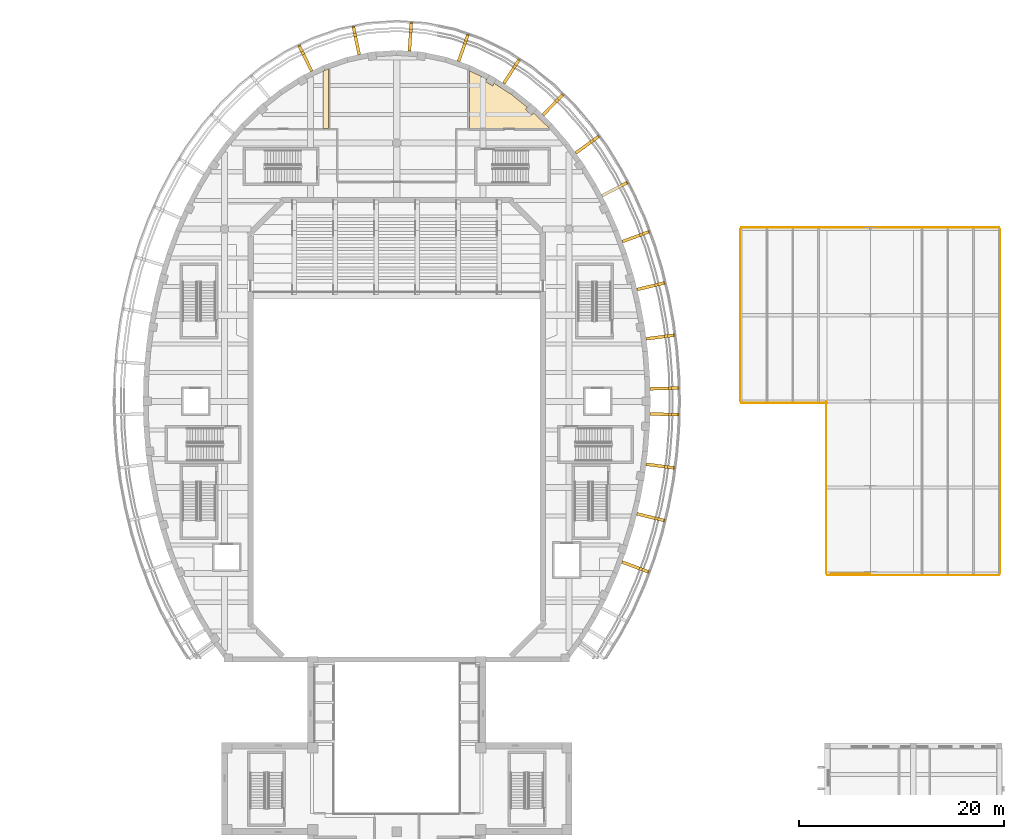
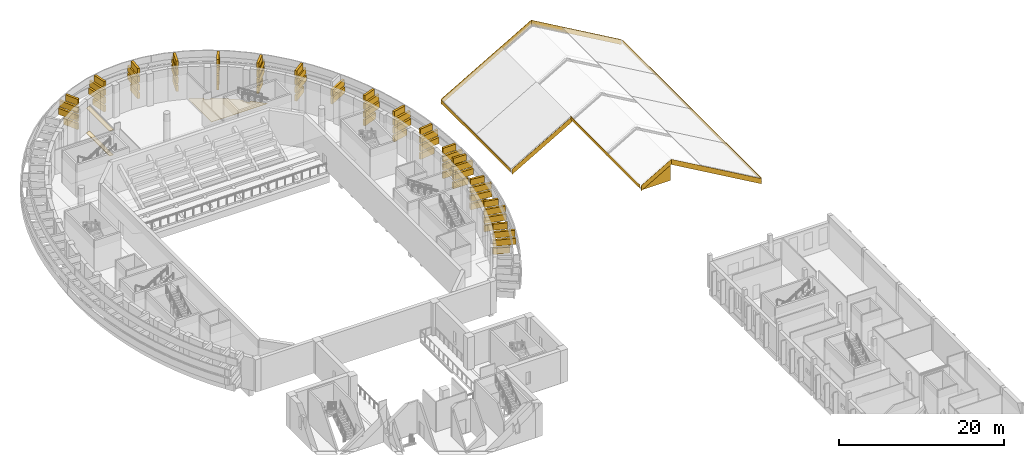
# One storey, part 37 of 37: 74 coverings.
"""IFC4 building model written with IfcOpenShell, lengths in metres."""

from ifc_helpers import new_model, si_unit, direction, frame, origin, origin_2d, place, context, subcontext, project, spatial, polyline, rectangle, outline, extrude, material, layer, layer_set, type_object, element, save


model = new_model("IFC4")

# Units and contexts
model_context = context("Model", 3, precision=1e-05, world=origin(), true_north=direction((0.0, 1.0)))
body_context = subcontext(model_context, "Body", "Model", "MODEL_VIEW")
ifc_project = project(units=[si_unit("LENGTHUNIT", "METRE"), si_unit("AREAUNIT", "SQUARE_METRE"), si_unit("VOLUMEUNIT", "CUBIC_METRE"), si_unit("PLANEANGLEUNIT", "RADIAN"), si_unit("MASSUNIT", "GRAM", prefix="KILO")], contexts=[model_context])

# Site, building, storey
site_placement = place(None, origin())
site = spatial("IfcSite", under=ifc_project, at=site_placement, CompositionType="ELEMENT")
building_placement = place(site_placement, origin())
building = spatial("IfcBuilding", under=site, at=building_placement, Name="Larchfold Concert Hall", CompositionType="ELEMENT")
storey_placement = place(building_placement, frame((0.0, 0.0, 19.199951171875)))
storey = spatial("IfcBuildingStorey", under=building, at=storey_placement, Name="L04", CompositionType="ELEMENT", Elevation=19.199951171875)

# Coverings
ifc_material_1 = material(Name="Mineral fibre ceiling tile")
ifc_layer_1 = layer(ifc_material_1, 0.02001953125)
ifc_layer_set_1 = layer_set([ifc_layer_1], Name="Mineral fibre ceiling tile")
covering_type_1 = type_object("IfcCoveringType", Name="Ceiling mineral fibre tile 20", PredefinedType="CEILING", material=ifc_layer_set_1)
covering_1_placement = place(storey_placement, frame((0.0, 0.0, 3.68017578125)))
element("IfcCovering", 1, at=covering_1_placement, inside=storey, type_object=covering_type_1, Name="Ceiling Public Toilets", PredefinedType="CEILING", context=body_context, shape_type="SweptSolid", body=[
    extrude(outline(polyline([(35.39990234375, 116.8134765625), (35.400634765625, 111.21142578125), (35.948974609375, 111.21142578125), (35.949951171875, 117.03271484375), (35.59130859375, 116.907958984375), (35.39990234375, 116.8134765625)])), origin(), (0.0, 0.0, 1.0), 0.02001953125),
])
ifc_material_2 = material(Name="Ceramic tile")
ifc_layer_2 = layer(ifc_material_2, 0.030029296875)
ifc_layer_set_2 = layer_set([ifc_layer_2], Name="Ceramic tile")
covering_type_2 = type_object("IfcCoveringType", Name="Floor finish ceramic tile 30", PredefinedType="FLOORING", material=ifc_layer_set_2)
covering_2_placement = place(storey_placement, origin())
element("IfcCovering", 2, at=covering_2_placement, inside=storey, type_object=covering_type_2, Name="Floor finish Public Toilets", PredefinedType="FLOORING", context=body_context, shape_type="SweptSolid", body=[
    extrude(outline(polyline([(35.39990234375, 116.8134765625), (35.400634765625, 111.21142578125), (35.948974609375, 111.21142578125), (35.949951171875, 117.03271484375), (35.59130859375, 116.907958984375), (35.39990234375, 116.8134765625)])), origin(), (0.0, 0.0, 1.0), 0.030029296875),
])
ifc_material_3 = material(Name="Sealed cement screed")
ifc_layer_3 = layer(ifc_material_3, 0.050048828125)
ifc_layer_set_3 = layer_set([ifc_layer_3], Name="Sealed cement screed")
covering_type_3 = type_object("IfcCoveringType", Name="Floor finish sealed screed 50", PredefinedType="FLOORING", material=ifc_layer_set_3)
covering_3_placement = place(storey_placement, origin())
element("IfcCovering", 3, at=covering_3_placement, inside=storey, type_object=covering_type_3, Name="Floor finish Hall Plant Room 01", PredefinedType="FLOORING", context=body_context, shape_type="SweptSolid", body=[
    extrude(outline(polyline([(49.618896484375, 111.150146484375), (49.6201171875, 111.223876953125), (57.489990234375, 111.223876953125), (57.384765625, 111.3466796875), (55.947509765625, 112.751953125), (55.760498046875, 112.542236328125), (55.1630859375, 113.07421875), (55.34912109375, 113.283203125), (53.78564453125, 114.541748046875), (52.10009765625, 115.628173828125), (51.963134765625, 115.386962890625), (51.267578125, 115.7822265625), (51.404052734375, 116.022216796875), (49.675048828125, 116.8740234375), (49.675048828125, 111.22509765625), (49.60009765625, 111.22509765625), (49.60009765625, 111.21142578125), (49.618896484375, 111.21142578125), (49.618896484375, 111.150146484375)])), origin(), (0.0, 0.0, 1.0), 0.050048828125),
])
ifc_material_4 = material(Name="Charred larch cladding", Category="timber")
ifc_layer_4 = layer(ifc_material_4, 0.030029296875)
ifc_layer_set_4 = layer_set([ifc_layer_4], Name="Charred larch cladding")
covering_type_4 = type_object("IfcCoveringType", Name="Gable closure panel 30", PredefinedType="CLADDING", material=ifc_layer_set_4)
covering_4_placement = place(storey_placement, frame((84.9501953125, 67.77001953125, 4.064208984375), z_axis=(0.0, -1.0, 0.0), x_axis=(1.0, 0.0, 0.0)))
element("IfcCovering", 4, at=covering_4_placement, inside=storey, type_object=covering_type_4, Name="Gable closure panel RG007", PredefinedType="CLADDING", context=body_context, shape_type="SweptSolid", body=[
    extrude(outline(polyline([(0.0, 0.0), (3.849853515625, 0.0), (3.849853515625, 2.43505859375), (0.0, 0.21240234375), (0.0, 0.0)])), origin(), (0.0, 0.0, -1.0), 0.030029296875),
])
ifc_material_5 = material(Name="Galvanised steel bracket", Category="steel")
ifc_layer_5 = layer(ifc_material_5, 0.300048828125)
ifc_layer_set_5 = layer_set([ifc_layer_5], Name="Galvanised steel bracket")
covering_type_5 = type_object("IfcCoveringType", Name="Ring support bracket", PredefinedType="CLADDING", material=ifc_layer_set_5)
for number, where, z_axis, x_axis, name in (
    (5, (68.3681640625, 85.85009765625, 0.9501953125), (0.0, 0.0, 1.0), (0.999668605926, 0.025742539211, 0.0), "Ring bracket BR-R08-01"),
    (6, (67.979736328125, 90.8349609375, 0.9501953125), (0.0, 0.0, 1.0), (0.991554174709, 0.129693171048, 0.0), "Ring bracket BR-R08-02"),
    (7, (67.065185546875, 95.755615234375, 0.9501953125), (0.0, 0.0, 1.0), (0.971762851638, 0.235959657944, 0.0), "Ring bracket BR-R08-03"),
    (8, (65.605224609375, 100.552490234375, 0.9501953125), (0.0, 0.0, 1.0), (0.938034660892, 0.346541447688, 0.0), "Ring bracket BR-R08-04"),
    (9, (60.916748046875, 109.447265625, 0.9501953125), (0.0, 0.0, 1.0), (0.809814943436, 0.586685398989, 0.0), "Ring bracket BR-R08-06"),
    (10, (57.60595703125, 113.29833984375, 0.9501953125), (0.0, 0.0, 1.0), (0.69916054139, 0.714964710572, 0.0), "Ring bracket BR-R08-07"),
    (11, (53.613525390625, 116.49658203125, 0.9501953125), (0.0, 0.0, 1.0), (0.541810395078, 0.840500741098, 0.0), "Ring bracket BR-R08-08"),
    (12, (48.984130859375, 118.7666015625, 0.9501953125), (0.0, 0.0, 1.0), (0.328920226358, 0.944357710136, 0.0), "Ring bracket BR-R08-09"),
    (13, (43.902587890625, 119.8134765625, 0.9501953125), (0.0, 0.0, 1.0), (0.068693386901, 0.997637819349, 0.0), "Ring bracket BR-R08-10"),
    (14, (38.718994140625, 119.458984375, 0.9501953125), (0.0, 0.0, 1.0), (-0.203080334215, 0.979162079461, 0.0), "Ring bracket BR-R08-11"),
    (15, (33.8291015625, 117.766845703125, 0.9501953125), (0.0, 0.0, 1.0), (-0.44236895234, 0.89683315617, 0.0), "Ring bracket BR-R08-12"),
    (16, (65.569580078125, 68.552734375, 0.9501953125), (0.0, 0.0, 1.0), (0.937177411386, -0.348853120364, 0.0), "Ring bracket BR-R08-30"),
    (17, (67.04833984375, 73.37646484375, 0.9501953125), (0.0, 0.0, 1.0), (0.971411707345, -0.237401126438, 0.0), "Ring bracket BR-R08-31"),
    (18, (67.974609375, 78.326416015625, 0.9501953125), (0.0, 0.0, 1.0), (0.991449907596, -0.130487856632, 0.0), "Ring bracket BR-R08-32"),
    (19, (68.367919921875, 83.34228515625, 0.9501953125), (0.0, 0.0, 1.0), (0.999665014874, -0.025881615792, 0.0), "Ring bracket BR-R08-33"),
):
    element("IfcCovering", number, at=place(storey_placement, frame(where, z_axis=z_axis, x_axis=x_axis)), inside=storey, type_object=covering_type_5, Name=name, PredefinedType="CLADDING", context=body_context, shape_type="SweptSolid", body=[
        extrude(rectangle(XDim=2.10009765625, YDim=0.300048828125, at=origin_2d()), origin(), (0.0, 0.0, 1.0), 0.89990234375),
    ])
for number, where, z_axis, x_axis, name in (
    (20, (68.718017578125, 85.859130859375, 2.150146484375), (0.0, 0.0, 1.0), (0.999668605926, 0.025742539211, 0.0), "Ring bracket BR-R09-01"),
    (21, (68.326904296875, 90.88037109375, 2.150146484375), (0.0, 0.0, 1.0), (0.991554174709, 0.129693171048, 0.0), "Ring bracket BR-R09-02"),
    (22, (67.4052734375, 95.838134765625, 2.150146484375), (0.0, 0.0, 1.0), (0.971762851638, 0.235959657944, 0.0), "Ring bracket BR-R09-03"),
    (23, (65.93359375, 100.673828125, 2.150146484375), (0.0, 0.0, 1.0), (0.938034660892, 0.346541447688, 0.0), "Ring bracket BR-R09-04"),
    (24, (63.87939453125, 105.312255859375, 2.150146484375), (0.0, 0.0, 1.0), (0.88627377699, 0.463161734409, 0.0), "Ring bracket BR-R09-05"),
    (25, (61.2001953125, 109.652587890625, 2.150146484375), (0.0, 0.0, 1.0), (0.809814943436, 0.586685398989, 0.0), "Ring bracket BR-R09-06"),
    (26, (57.850830078125, 113.548583984375, 2.150146484375), (0.0, 0.0, 1.0), (0.69916054139, 0.714964710572, 0.0), "Ring bracket BR-R09-07"),
    (27, (53.80322265625, 116.790771484375, 2.150146484375), (0.0, 0.0, 1.0), (0.541810395078, 0.840500741098, 0.0), "Ring bracket BR-R09-08"),
    (28, (49.09912109375, 119.09716796875, 2.150146484375), (0.0, 0.0, 1.0), (0.328920226358, 0.944357710136, 0.0), "Ring bracket BR-R09-09"),
    (29, (43.926513671875, 120.16259765625, 2.150146484375), (0.0, 0.0, 1.0), (0.068693386901, 0.997637819349, 0.0), "Ring bracket BR-R09-10"),
    (30, (38.64794921875, 119.801513671875, 2.150146484375), (0.0, 0.0, 1.0), (-0.203080334215, 0.979162079461, 0.0), "Ring bracket BR-R09-11"),
    (31, (33.67431640625, 118.080810546875, 2.150146484375), (0.0, 0.0, 1.0), (-0.44236895234, 0.89683315617, 0.0), "Ring bracket BR-R09-12"),
    (32, (65.897705078125, 68.4306640625, 2.150146484375), (0.0, 0.0, 1.0), (0.937177411386, -0.348853120364, 0.0), "Ring bracket BR-R09-30"),
    (33, (67.388427734375, 73.29345703125, 2.150146484375), (0.0, 0.0, 1.0), (0.971411707345, -0.237401126438, 0.0), "Ring bracket BR-R09-31"),
    (34, (68.321533203125, 78.28076171875, 2.150146484375), (0.0, 0.0, 1.0), (0.991449907596, -0.130487856632, 0.0), "Ring bracket BR-R09-32"),
    (35, (68.7177734375, 83.333251953125, 2.150146484375), (0.0, 0.0, 1.0), (0.999665014874, -0.025881615792, 0.0), "Ring bracket BR-R09-33"),
):
    element("IfcCovering", number, at=place(storey_placement, frame(where, z_axis=z_axis, x_axis=x_axis)), inside=storey, type_object=covering_type_5, Name=name, PredefinedType="CLADDING", context=body_context, shape_type="SweptSolid", body=[
        extrude(rectangle(XDim=2.800048828125, YDim=0.300048828125, at=origin_2d()), origin(), (0.0, 0.0, 1.0), 0.89990234375),
    ])
for number, where, z_axis, x_axis, name in (
    (36, (68.668212890625, 85.85791015625, 3.35009765625), (0.0, 0.0, 1.0), (0.999668605926, 0.025742539211, 0.0), "Ring bracket BR-R10-01"),
    (37, (68.27734375, 90.8740234375, 3.35009765625), (0.0, 0.0, 1.0), (0.991554174709, 0.129693171048, 0.0), "Ring bracket BR-R10-02"),
    (38, (67.356689453125, 95.826416015625, 3.35009765625), (0.0, 0.0, 1.0), (0.971762851638, 0.235959657944, 0.0), "Ring bracket BR-R10-03"),
    (39, (65.88671875, 100.656494140625, 3.35009765625), (0.0, 0.0, 1.0), (0.938034660892, 0.346541447688, 0.0), "Ring bracket BR-R10-04"),
    (40, (63.8349609375, 105.2890625, 3.35009765625), (0.0, 0.0, 1.0), (0.88627377699, 0.463161734409, 0.0), "Ring bracket BR-R10-05"),
    (41, (61.15966796875, 109.623291015625, 3.35009765625), (0.0, 0.0, 1.0), (0.809814943436, 0.586685398989, 0.0), "Ring bracket BR-R10-06"),
    (42, (57.81591796875, 113.5126953125, 3.35009765625), (0.0, 0.0, 1.0), (0.69916054139, 0.714964710572, 0.0), "Ring bracket BR-R10-07"),
    (43, (53.776123046875, 116.748779296875, 3.35009765625), (0.0, 0.0, 1.0), (0.541810395078, 0.840500741098, 0.0), "Ring bracket BR-R10-08"),
    (44, (49.082763671875, 119.050048828125, 3.35009765625), (0.0, 0.0, 1.0), (0.328920226358, 0.944357710136, 0.0), "Ring bracket BR-R10-09"),
    (45, (43.923095703125, 120.11279296875, 3.35009765625), (0.0, 0.0, 1.0), (0.068693386901, 0.997637819349, 0.0), "Ring bracket BR-R10-10"),
    (46, (38.658203125, 119.752685546875, 3.35009765625), (0.0, 0.0, 1.0), (-0.203080334215, 0.979162079461, 0.0), "Ring bracket BR-R10-11"),
    (47, (33.696533203125, 118.035888671875, 3.35009765625), (0.0, 0.0, 1.0), (-0.44236895234, 0.89683315617, 0.0), "Ring bracket BR-R10-12"),
    (48, (65.850830078125, 68.447998046875, 3.35009765625), (0.0, 0.0, 1.0), (0.937177411386, -0.348853120364, 0.0), "Ring bracket BR-R10-30"),
    (49, (67.33984375, 73.30517578125, 3.35009765625), (0.0, 0.0, 1.0), (0.971411707345, -0.237401126438, 0.0), "Ring bracket BR-R10-31"),
    (50, (68.27197265625, 78.287353515625, 3.35009765625), (0.0, 0.0, 1.0), (0.991449907596, -0.130487856632, 0.0), "Ring bracket BR-R10-32"),
    (51, (68.667724609375, 83.33447265625, 3.35009765625), (0.0, 0.0, 1.0), (0.999665014874, -0.025881615792, 0.0), "Ring bracket BR-R10-33"),
):
    element("IfcCovering", number, at=place(storey_placement, frame(where, z_axis=z_axis, x_axis=x_axis)), inside=storey, type_object=covering_type_5, Name=name, PredefinedType="CLADDING", context=body_context, shape_type="SweptSolid", body=[
        extrude(rectangle(XDim=2.699951171875, YDim=0.300048828125, at=origin_2d()), origin(), (0.0, 0.0, 1.0), 0.89990234375),
    ])
for number, where, z_axis, x_axis, name in (
    (52, (68.21826171875, 85.84619140625, 4.550048828125), (0.0, 0.0, 1.0), (0.999668605926, 0.025742539211, 0.0), "Ring bracket BR-R11-01"),
    (53, (67.8310546875, 90.815673828125, 4.550048828125), (0.0, 0.0, 1.0), (0.991554174709, 0.129693171048, 0.0), "Ring bracket BR-R11-02"),
    (54, (66.91943359375, 95.72021484375, 4.550048828125), (0.0, 0.0, 1.0), (0.971762851638, 0.235959657944, 0.0), "Ring bracket BR-R11-03"),
    (55, (65.464599609375, 100.50048828125, 4.550048828125), (0.0, 0.0, 1.0), (0.938034660892, 0.346541447688, 0.0), "Ring bracket BR-R11-04"),
    (56, (60.79541015625, 109.359130859375, 4.550048828125), (0.0, 0.0, 1.0), (0.809814943436, 0.586685398989, 0.0), "Ring bracket BR-R11-06"),
    (57, (57.501220703125, 113.191162109375, 4.550048828125), (0.0, 0.0, 1.0), (0.69916054139, 0.714964710572, 0.0), "Ring bracket BR-R11-07"),
    (58, (53.5322265625, 116.370361328125, 4.550048828125), (0.0, 0.0, 1.0), (0.541810395078, 0.840500741098, 0.0), "Ring bracket BR-R11-08"),
    (59, (48.934814453125, 118.625, 4.550048828125), (0.0, 0.0, 1.0), (0.328920226358, 0.944357710136, 0.0), "Ring bracket BR-R11-09"),
    (60, (43.892333984375, 119.663818359375, 4.550048828125), (0.0, 0.0, 1.0), (0.068693386901, 0.997637819349, 0.0), "Ring bracket BR-R11-10"),
    (61, (38.74951171875, 119.31201171875, 4.550048828125), (0.0, 0.0, 1.0), (-0.203080334215, 0.979162079461, 0.0), "Ring bracket BR-R11-11"),
    (62, (33.8955078125, 117.63232421875, 4.550048828125), (0.0, 0.0, 1.0), (-0.44236895234, 0.89683315617, 0.0), "Ring bracket BR-R11-12"),
    (63, (65.428955078125, 68.60498046875, 4.550048828125), (0.0, 0.0, 1.0), (0.937177411386, -0.348853120364, 0.0), "Ring bracket BR-R11-30"),
    (64, (66.90283203125, 73.412109375, 4.550048828125), (0.0, 0.0, 1.0), (0.971411707345, -0.237401126438, 0.0), "Ring bracket BR-R11-31"),
    (65, (67.825927734375, 78.345947265625, 4.550048828125), (0.0, 0.0, 1.0), (0.991449907596, -0.130487856632, 0.0), "Ring bracket BR-R11-32"),
    (66, (68.218017578125, 83.34619140625, 4.550048828125), (0.0, 0.0, 1.0), (0.999665014874, -0.025881615792, 0.0), "Ring bracket BR-R11-33"),
):
    element("IfcCovering", number, at=place(storey_placement, frame(where, z_axis=z_axis, x_axis=x_axis)), inside=storey, type_object=covering_type_5, Name=name, PredefinedType="CLADDING", context=body_context, shape_type="SweptSolid", body=[
        extrude(rectangle(XDim=1.800048828125, YDim=0.300048828125, at=origin_2d()), origin(), (0.0, 0.0, 1.0), 0.89990234375),
    ])
ifc_material_6 = material(Name="Anodised graphite aluminium fascia", Category="aluminium")
ifc_layer_6 = layer(ifc_material_6, 0.030029296875)
ifc_layer_set_6 = layer_set([ifc_layer_6], Name="Anodised graphite aluminium fascia")
covering_type_6 = type_object("IfcCoveringType", Name="Roof edge fascia 30", PredefinedType="CLADDING", material=ifc_layer_set_6)
covering_5_placement = place(storey_placement, frame((76.199951171875, 101.580078125, 0.0), z_axis=(0.0, 1.0, 0.0), x_axis=(0.866025748143, 0.0, 0.499999403554)))
element("IfcCovering", 67, at=covering_5_placement, inside=storey, type_object=covering_type_6, Name="Roof edge fascia RF005", PredefinedType="CLADDING", context=body_context, shape_type="SweptSolid", body=[
    extrude(outline(polyline([(0.0, 0.0), (14.549333762043217, 0.0), (14.161638912022104, 0.6715082461183908), (-0.38769485002111376, 0.6715082461183904), (0.0, 0.0)])), origin(), (0.0, 0.0, -1.0), 0.030029296875),
])
covering_6_placement = place(storey_placement, frame((88.800048828125, 101.580078125, 7.274658203125), z_axis=(0.0, 1.0, 0.0), x_axis=(0.866021553013, 0.0, -0.500006669672)))
element("IfcCovering", 68, at=covering_6_placement, inside=storey, type_object=covering_type_6, Name="Roof edge fascia RF006", PredefinedType="CLADDING", context=body_context, shape_type="SweptSolid", body=[
    extrude(outline(polyline([(0.0, 0.0), (14.549122330487895, -8.881784197001252e-16), (14.93682281458942, 0.6715049932542065), (0.38770048410152547, 0.6715049932542076), (0.0, 0.0)])), origin(), (0.0, 0.0, -1.0), 0.030029296875),
])
covering_7_placement = place(storey_placement, frame((84.60009765625, 67.6201171875, 4.07421875), z_axis=(0.0, -1.0, 0.0), x_axis=(0.866007020477, 0.0, 0.50003183947)))
element("IfcCovering", 69, at=covering_7_placement, inside=storey, type_object=covering_type_6, Name="Roof edge fascia RF010", PredefinedType="CLADDING", context=body_context, shape_type="SweptSolid", body=[
    extrude(outline(polyline([(0.0, 0.0), (4.849788826838198, 0.0), (5.237508827364747, 0.6714937248624016), (0.3878420786123579, 0.6717051523576355), (0.0, 0.0)])), origin(), (0.0, 0.0, -1.0), 0.030029296875),
])
covering_8_placement = place(storey_placement, frame((88.800048828125, 67.6201171875, 6.499267578125), z_axis=(0.0, -1.0, 0.0), x_axis=(0.866021553013, 0.0, -0.500006669672)))
element("IfcCovering", 70, at=covering_8_placement, inside=storey, type_object=covering_type_6, Name="Roof edge fascia RF011", PredefinedType="CLADDING", context=body_context, shape_type="SweptSolid", body=[
    extrude(outline(polyline([(0.0, 0.0), (14.549122330487895, 8.881784197001252e-16), (14.16142184638637, 0.6715049932542083), (-0.38770048410152547, 0.6715049932542076), (0.0, 0.0)])), origin(), (0.0, 0.0, -1.0), 0.030029296875),
])
covering_9_placement = place(storey_placement, frame((76.199951171875, 84.419921875, -0.775390625), z_axis=(0.0, -1.0, 0.0), x_axis=(0.866035111551, 0.0, 0.499983185278)))
element("IfcCovering", 71, at=covering_9_placement, inside=storey, type_object=covering_type_6, Name="Roof edge fascia RF013", PredefinedType="CLADDING", context=body_context, shape_type="SweptSolid", body=[
    extrude(outline(polyline([(0.0, 0.0), (9.69954494030754, 0.0), (10.087349281036916, 0.671726940771026), (0.38768227452203363, 0.6715155064176205), (0.0, 0.0)])), origin(), (0.0, 0.0, -1.0), 0.030029296875),
])
covering_10_placement = place(storey_placement, frame((84.5, 67.800048828125, 4.849853515625), z_axis=(-1.0, 0.0, 0.0), x_axis=(0.0, 1.0, 0.0)))
element("IfcCovering", 72, at=covering_10_placement, inside=storey, type_object=covering_type_6, Name="Roof edge fascia RF014", PredefinedType="CLADDING", context=body_context, shape_type="SweptSolid", body=[
    extrude(outline(polyline([(0.0, 0.0), (16.800048828125, 0.0), (16.800048828125, 0.4755859375), (0.0, 0.4755859375), (0.0, 0.0)])), origin(), (0.0, 0.0, -1.0), 0.030029296875),
])
covering_11_placement = place(storey_placement, frame((76.10009765625, 84.60009765625, 0.0), z_axis=(-1.0, 0.0, 0.0), x_axis=(0.0, 1.0, 0.0)))
element("IfcCovering", 73, at=covering_11_placement, inside=storey, type_object=covering_type_6, Name="Roof edge fascia RF015", PredefinedType="CLADDING", context=body_context, shape_type="SweptSolid", body=[
    extrude(outline(polyline([(0.0, 0.0), (16.7998046875, 0.0), (16.7998046875, 0.475341796875), (0.0, 0.475341796875), (0.0, 0.0)])), origin(), (0.0, 0.0, -1.0), 0.030029296875),
])
covering_12_placement = place(storey_placement, frame((101.5, 67.800048828125, -0.475341796875), z_axis=(1.0, 0.0, 0.0), x_axis=(0.0, 1.0, 0.0)))
element("IfcCovering", 74, at=covering_12_placement, inside=storey, type_object=covering_type_6, Name="Roof edge fascia RF016", PredefinedType="CLADDING", context=body_context, shape_type="SweptSolid", body=[
    extrude(outline(polyline([(0.0, 0.0), (33.599853515625, 0.0), (33.599853515625, 0.475341796875), (0.0, 0.475341796875), (0.0, 0.0)])), origin(), (0.0, 0.0, -1.0), 0.030029296875),
])

save(model, "model.ifc")
